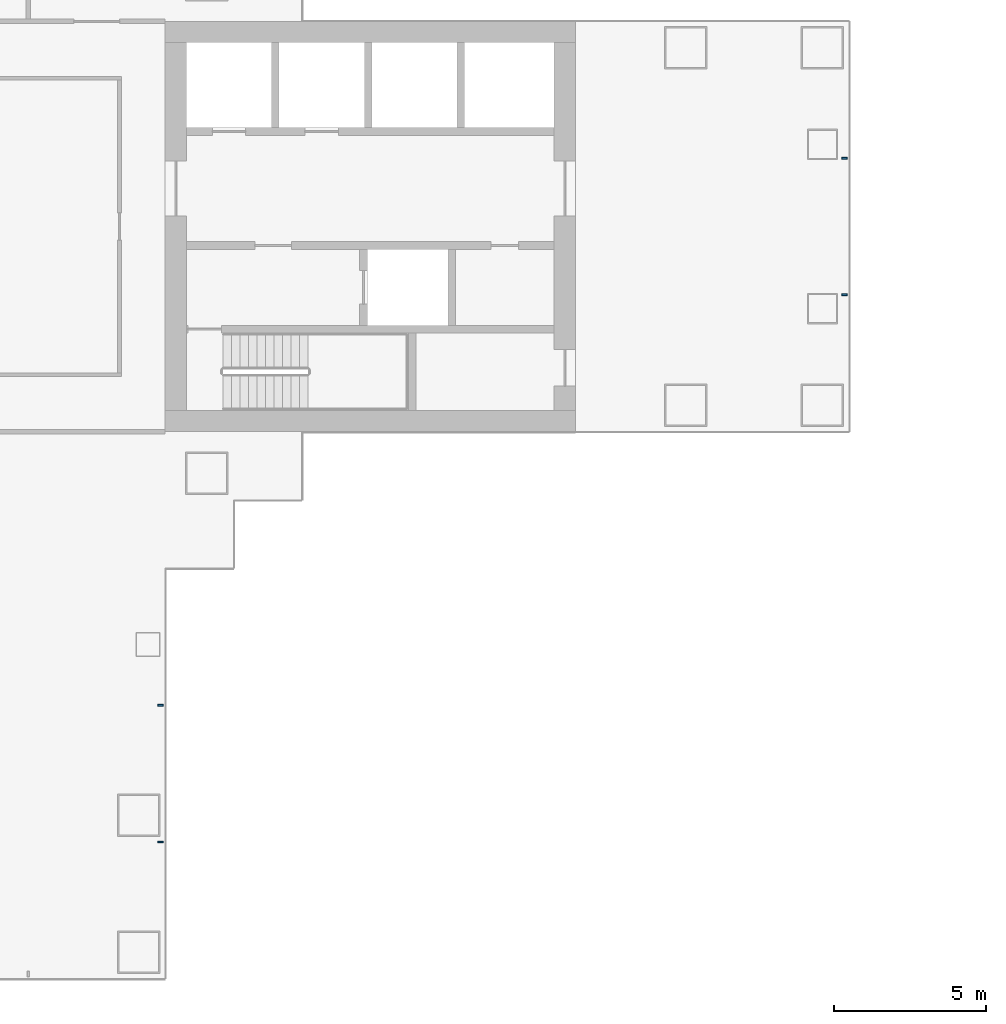
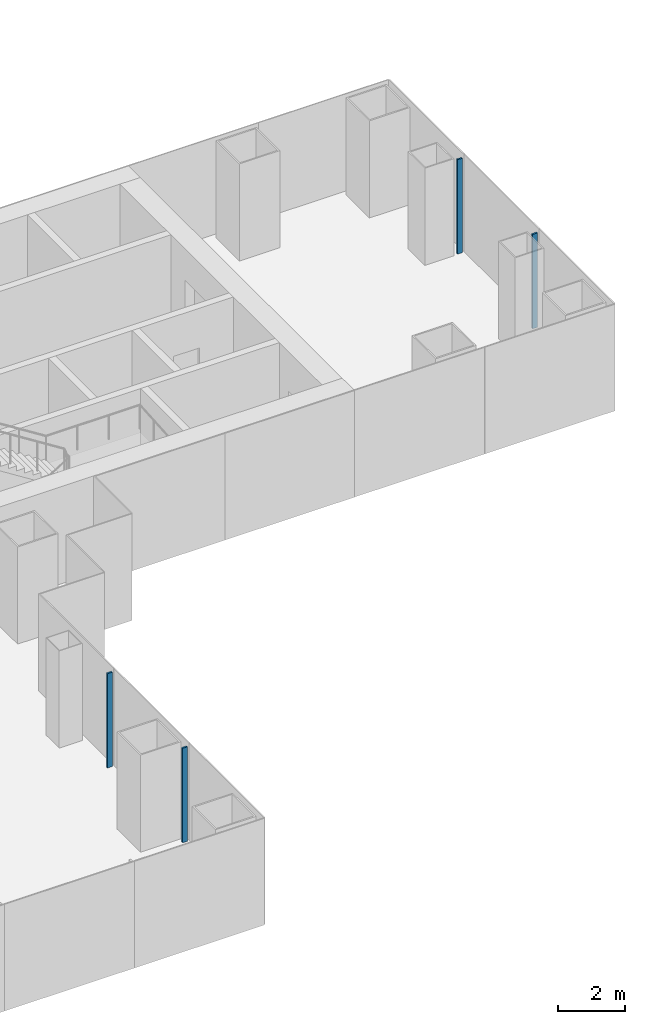
# One storey, part 5 of 21: 4 members, 2 elements without a shape of their own.
"""IFC4 building model written with IfcOpenShell, lengths in metres."""

from ifc_helpers import new_model, si_unit, direction, frame, origin, origin_2d, place, context, subcontext, project, spatial, rectangle, extrude, material, layer, layer_set, material_profile, profile_set, type_object, element, aggregate, save


model = new_model("IFC4")

# Units and contexts
model_context = context("Model", 3, precision=1e-05, world=origin(), true_north=direction((0.0, 1.0)))
body_context = subcontext(model_context, "Body", "Model", "MODEL_VIEW")
ifc_project = project(units=[si_unit("LENGTHUNIT", "METRE"), si_unit("AREAUNIT", "SQUARE_METRE"), si_unit("VOLUMEUNIT", "CUBIC_METRE"), si_unit("PLANEANGLEUNIT", "RADIAN"), si_unit("MASSUNIT", "GRAM", prefix="KILO")], contexts=[model_context])

# Site, building, storey
site_placement = place(None, origin())
site = spatial("IfcSite", under=ifc_project, at=site_placement, CompositionType="ELEMENT")
building_placement = place(site_placement, origin())
building = spatial("IfcBuilding", under=site, at=building_placement, Name="Shamsa Quay Exchange Towers", CompositionType="ELEMENT")
storey_placement = place(building_placement, frame((0.0, 0.0, 53.699951171875)))
storey = spatial("IfcBuildingStorey", under=building, at=storey_placement, Name="L11", CompositionType="ELEMENT", Elevation=53.699951171875)

# Curtain wall, members
ifc_material = material(Name="Aluminium EN AW-6063 T6, black anodised", Category="aluminium")
ifc_layer = layer(ifc_material, 0.280029296875)
ifc_layer_set = layer_set([ifc_layer], Name="CW-1 UNITISED VISION GLASS")
curtain_wall_type = type_object("IfcCurtainWallType", Name="CW-1 UNITISED VISION GLASS", PredefinedType="NOTDEFINED", material=ifc_layer_set)
curtain_wall_1_placement = place(storey_placement, origin())
curtain_wall_1 = element("IfcCurtainWall", 1, at=curtain_wall_1_placement, inside=storey, type_object=curtain_wall_type, Name="CW1 T1-FLK-V-E L11", PredefinedType="NOTDEFINED")
ifc_material_profile = material_profile(ifc_material, rectangle(XDim=0.179931640625, YDim=0.06005859375, at=origin_2d()), Name="MU60x180")
ifc_profile_set = profile_set([ifc_material_profile], Name="Aluminium EN AW-6063 T6, black anodised")
member_type = type_object("IfcMemberType", Name="CW1 MULLION 60x180", PredefinedType="MULLION", material=ifc_profile_set)
member_1_placement = place(storey_placement, frame((-27.14990234375, -20.25, 0.0), z_axis=(0.0, 0.0, 1.0), x_axis=(-1.0, 0.0, 0.0)))
member_1 = element("IfcMember", 2, at=member_1_placement, type_object=member_type, Name="CW1 mullion", PredefinedType="MULLION", context=body_context, shape_type="SweptSolid", body=[
    extrude(rectangle(XDim=0.179931640625, YDim=0.06005859375, at=origin_2d()), origin(), (0.0, 0.0, 1.0), 3.449951171875),
])
member_2_placement = place(storey_placement, frame((-27.14990234375, -15.75, 0.0), z_axis=(0.0, 0.0, 1.0), x_axis=(-1.0, 0.0, 0.0)))
member_2 = element("IfcMember", 3, at=member_2_placement, type_object=member_type, Name="CW1 mullion", PredefinedType="MULLION", context=body_context, shape_type="SweptSolid", body=[
    extrude(rectangle(XDim=0.179931640625, YDim=0.06005859375, at=origin_2d()), origin(), (0.0, 0.0, 1.0), 3.449951171875),
])
aggregate(curtain_wall_1, [member_1, member_2])

curtain_wall_2_placement = place(storey_placement, origin())
curtain_wall_2 = element("IfcCurtainWall", 4, at=curtain_wall_2_placement, inside=storey, type_object=curtain_wall_type, Name="CW1 T1-END-U+ L11", PredefinedType="NOTDEFINED")
member_3_placement = place(storey_placement, frame((-4.64990234375, -2.25, 0.0), z_axis=(0.0, 0.0, 1.0), x_axis=(-1.0, 0.0, 0.0)))
member_3 = element("IfcMember", 5, at=member_3_placement, type_object=member_type, Name="CW1 mullion", PredefinedType="MULLION", context=body_context, shape_type="SweptSolid", body=[
    extrude(rectangle(XDim=0.179931640625, YDim=0.06005859375, at=origin_2d()), origin(), (0.0, 0.0, 1.0), 3.449951171875),
])
member_4_placement = place(storey_placement, frame((-4.64990234375, 2.25, 0.0), z_axis=(0.0, 0.0, 1.0), x_axis=(-1.0, 0.0, 0.0)))
member_4 = element("IfcMember", 6, at=member_4_placement, type_object=member_type, Name="CW1 mullion", PredefinedType="MULLION", context=body_context, shape_type="SweptSolid", body=[
    extrude(rectangle(XDim=0.179931640625, YDim=0.06005859375, at=origin_2d()), origin(), (0.0, 0.0, 1.0), 3.449951171875),
])
aggregate(curtain_wall_2, [member_3, member_4])

save(model, "model.ifc")
